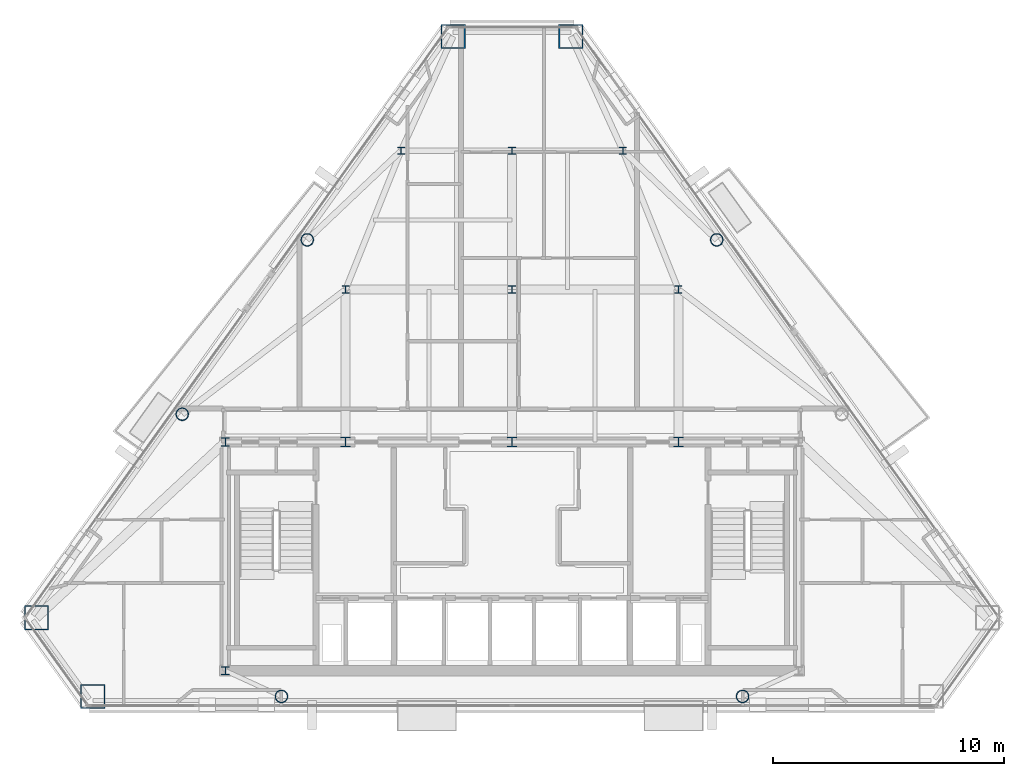
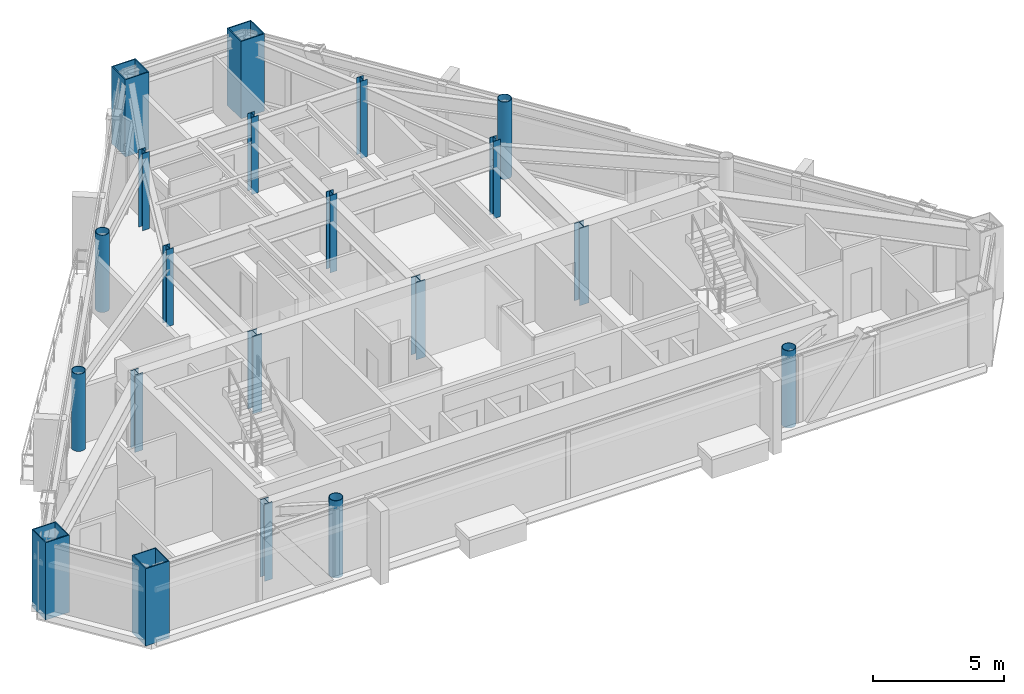
# One storey, part 1 of 11: 20 columns.
"""IFC4 building model written with IfcOpenShell, lengths in metres."""

from ifc_helpers import new_model, si_unit, direction, frame, origin, origin_2d, place, context, subcontext, project, spatial, hollow_rectangle, hollow_circle, i_section, extrude, material, material_profile, profile_set, type_object, element, save


model = new_model("IFC4")

# Units and contexts
model_context = context("Model", 3, precision=1e-05, world=origin(), true_north=direction((0.0, 1.0)))
body_context = subcontext(model_context, "Body", "Model", "MODEL_VIEW")
ifc_project = project(units=[si_unit("LENGTHUNIT", "METRE"), si_unit("AREAUNIT", "SQUARE_METRE"), si_unit("VOLUMEUNIT", "CUBIC_METRE"), si_unit("PLANEANGLEUNIT", "RADIAN"), si_unit("MASSUNIT", "GRAM", prefix="KILO")], contexts=[model_context])

# Site, building, storey
site_placement = place(None, origin())
site = spatial("IfcSite", under=ifc_project, at=site_placement, CompositionType="ELEMENT")
building_placement = place(site_placement, origin())
building = spatial("IfcBuilding", under=site, at=building_placement, Name="Talgorran Terracotta Tower", CompositionType="ELEMENT")
storey_placement = place(building_placement, frame((0.0, 0.0, 237.0)))
storey = spatial("IfcBuildingStorey", under=building, at=storey_placement, Name="L62", CompositionType="ELEMENT", Elevation=237.0)

# Columns
ifc_material_1 = material(Name="Steel S355 (300PLUS)", Category="steel")
ifc_material_profile_1 = material_profile(ifc_material_1, i_section(OverallWidth=0.306884765625, OverallDepth=0.314453125, WebThickness=0.011962890625, FlangeThickness=0.018798828125, at=origin_2d()), Name="310UC118")
ifc_profile_set_1 = profile_set([ifc_material_profile_1], Name="Steel S355 (300PLUS)")
column_type_1 = type_object("IfcColumnType", Name="COL_310UC118", PredefinedType="COLUMN", material=ifc_profile_set_1)
for number, where, z_axis, x_axis, name in (
    (1, (-7.199951171875, 2.39990234375, 0.0), (0.0, 0.0, 1.0), (1.0, 0.0, 0.0), "L62 Interior Gravity Column IC1"),
    (2, (0.0, 2.39990234375, 0.0), (0.0, 0.0, 1.0), (1.0, 0.0, 0.0), "L62 Interior Gravity Column IC2"),
    (3, (7.199951171875, 2.39990234375, 0.0), (0.0, 0.0, 1.0), (1.0, 0.0, 0.0), "L62 Interior Gravity Column IC3"),
    (4, (-4.800048828125, 8.39990234375, 0.0), (0.0, 0.0, 1.0), (1.0, 0.0, 0.0), "L62 Interior Gravity Column IC4"),
    (5, (0.0, 8.39990234375, 0.0), (0.0, 0.0, 1.0), (1.0, 0.0, 0.0), "L62 Interior Gravity Column IC5"),
    (6, (4.800048828125, 8.39990234375, 0.0), (0.0, 0.0, 1.0), (1.0, 0.0, 0.0), "L62 Interior Gravity Column IC6"),
):
    element("IfcColumn", number, at=place(storey_placement, frame(where, z_axis=z_axis, x_axis=x_axis)), inside=storey, type_object=column_type_1, Name=name, PredefinedType="COLUMN", context=body_context, shape_type="SweptSolid", body=[
        extrude(i_section(OverallWidth=0.306884765625, OverallDepth=0.314453125, WebThickness=0.011962890625, FlangeThickness=0.018798828125, at=origin_2d()), origin(), (0.0, 0.0, 1.0), 3.60009765625),
    ])
ifc_material_profile_2 = material_profile(ifc_material_1, i_section(OverallWidth=0.35205078125, OverallDepth=0.35888671875, WebThickness=0.01806640625, FlangeThickness=0.02587890625, at=origin_2d()), Name="350WC197")
ifc_profile_set_2 = profile_set([ifc_material_profile_2], Name="Steel S355 (300PLUS)")
column_type_2 = type_object("IfcColumnType", Name="COL_350WC197", PredefinedType="COLUMN", material=ifc_profile_set_2)
for number, where, z_axis, x_axis, name in (
    (7, (-12.39990234375, -14.10009765625, 0.0), (0.0, 0.0, 1.0), (1.0, 0.0, 0.0), "L62 Core Boundary Column CC1"),
    (8, (-12.39990234375, -4.199951171875, 0.0), (0.0, 0.0, 1.0), (1.0, 0.0, 0.0), "L62 Core Boundary Column CC4"),
):
    element("IfcColumn", number, at=place(storey_placement, frame(where, z_axis=z_axis, x_axis=x_axis)), inside=storey, type_object=column_type_2, Name=name, PredefinedType="COLUMN", context=body_context, shape_type="SweptSolid", body=[
        extrude(i_section(OverallWidth=0.35205078125, OverallDepth=0.35888671875, WebThickness=0.01806640625, FlangeThickness=0.02587890625, at=origin_2d()), origin(), (0.0, 0.0, 1.0), 3.60009765625),
    ])
ifc_material_2 = material(Name="Steel Grade 350 (350L0)", Category="steel")
ifc_material_profile_3 = material_profile(ifc_material_2, hollow_rectangle(XDim=1.050048828125, YDim=1.050048828125, WallThickness=0.044921875, at=origin_2d()), Name="CFT1050X1050X45")
ifc_profile_set_3 = profile_set([ifc_material_profile_3], Name="Steel Grade 350 (350L0)")
column_type_3 = type_object("IfcColumnType", Name="COL_CFT_1050", PredefinedType="COLUMN", material=ifc_profile_set_3)
for number, where, z_axis, x_axis, name in (
    (9, (-20.5791015625, -11.802001953125, 0.0), (0.0, 0.0, 1.0), (1.0, 0.0, 0.0), "L62 Corner CFT Mega-Column MC1"),
    (10, (-18.13720703125, -15.207763671875, 0.0), (0.0, 0.0, 1.0), (1.0, 0.0, 0.0), "L62 Corner CFT Mega-Column MC2"),
    (11, (2.547607421875, 13.3486328125, 0.0), (0.0, 0.0, 1.0), (1.0, 0.0, 0.0), "L62 Corner CFT Mega-Column MC5"),
    (12, (-2.547607421875, 13.3486328125, 0.0), (0.0, 0.0, 1.0), (1.0, 0.0, 0.0), "L62 Corner CFT Mega-Column MC6"),
):
    element("IfcColumn", number, at=place(storey_placement, frame(where, z_axis=z_axis, x_axis=x_axis)), inside=storey, type_object=column_type_3, Name=name, PredefinedType="COLUMN", context=body_context, shape_type="SweptSolid", body=[
        extrude(hollow_rectangle(XDim=1.050048828125, YDim=1.050048828125, WallThickness=0.044921875, at=origin_2d()), origin(), (0.0, 0.0, 1.0), 3.60009765625),
    ])
ifc_material_profile_4 = material_profile(ifc_material_2, hollow_circle(Radius=0.27490234375, WallThickness=0.02392578125, at=origin_2d()), Name="CHS550X24")
ifc_profile_set_4 = profile_set([ifc_material_profile_4], Name="Steel Grade 350 (350L0)")
column_type_4 = type_object("IfcColumnType", Name="COL_CHS_550", PredefinedType="COLUMN", material=ifc_profile_set_4)
for number, where, z_axis, x_axis, name in (
    (13, (-9.9755859375, -15.207763671875, 0.0), (0.0, 0.0, 1.0), (1.0, 0.0, 0.0), "L62 Facet Perimeter Column FC1"),
    (14, (9.9755859375, -15.207763671875, 0.0), (0.0, 0.0, 1.0), (1.0, 0.0, 0.0), "L62 Facet Perimeter Column FC2"),
    (15, (8.8583984375, 4.5458984375, 0.0), (0.0, 0.0, 1.0), (1.0, 0.0, 0.0), "L62 Facet Perimeter Column FC4"),
    (16, (-8.8583984375, 4.5458984375, 0.0), (0.0, 0.0, 1.0), (1.0, 0.0, 0.0), "L62 Facet Perimeter Column FC5"),
    (17, (-14.26806640625, -2.999267578125, 0.0), (0.0, 0.0, 1.0), (1.0, 0.0, 0.0), "L62 Facet Perimeter Column FC6"),
):
    element("IfcColumn", number, at=place(storey_placement, frame(where, z_axis=z_axis, x_axis=x_axis)), inside=storey, type_object=column_type_4, Name=name, PredefinedType="COLUMN", context=body_context, shape_type="SweptSolid", body=[
        extrude(hollow_circle(Radius=0.27490234375, WallThickness=0.02392578125, at=origin_2d()), origin(), (0.0, 0.0, 1.0), 3.60009765625),
    ])
ifc_material_profile_5 = material_profile(ifc_material_1, i_section(OverallWidth=0.405029296875, OverallDepth=0.4140625, WebThickness=0.02197265625, FlangeThickness=0.031982421875, at=origin_2d()), Name="400WC270")
ifc_profile_set_5 = profile_set([ifc_material_profile_5], Name="Steel S355 (300PLUS)")
column_type_5 = type_object("IfcColumnType", Name="COL_PIL_400WC270", PredefinedType="PILASTER", material=ifc_profile_set_5)
for number, where, z_axis, x_axis, name in (
    (18, (-7.199951171875, -4.199951171875, 0.0), (0.0, 0.0, 1.0), (1.0, 0.0, 0.0), "L62 Core Shear Pilaster CP1"),
    (19, (0.0, -4.199951171875, 0.0), (0.0, 0.0, 1.0), (1.0, 0.0, 0.0), "L62 Core Shear Pilaster CP2"),
    (20, (7.199951171875, -4.199951171875, 0.0), (0.0, 0.0, 1.0), (1.0, 0.0, 0.0), "L62 Core Shear Pilaster CP3"),
):
    element("IfcColumn", number, at=place(storey_placement, frame(where, z_axis=z_axis, x_axis=x_axis)), inside=storey, type_object=column_type_5, Name=name, PredefinedType="PILASTER", context=body_context, shape_type="SweptSolid", body=[
        extrude(i_section(OverallWidth=0.405029296875, OverallDepth=0.4140625, WebThickness=0.02197265625, FlangeThickness=0.031982421875, at=origin_2d()), origin(), (0.0, 0.0, 1.0), 3.60009765625),
    ])

save(model, "model.ifc")
